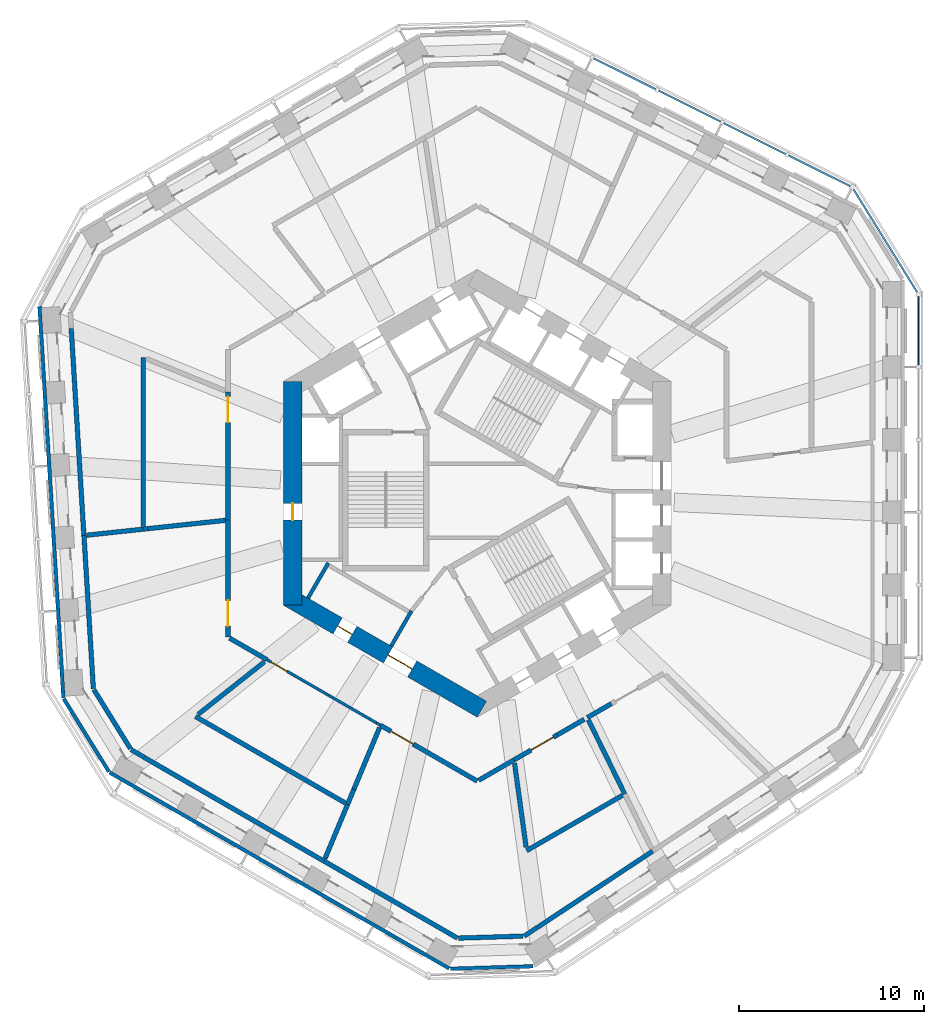
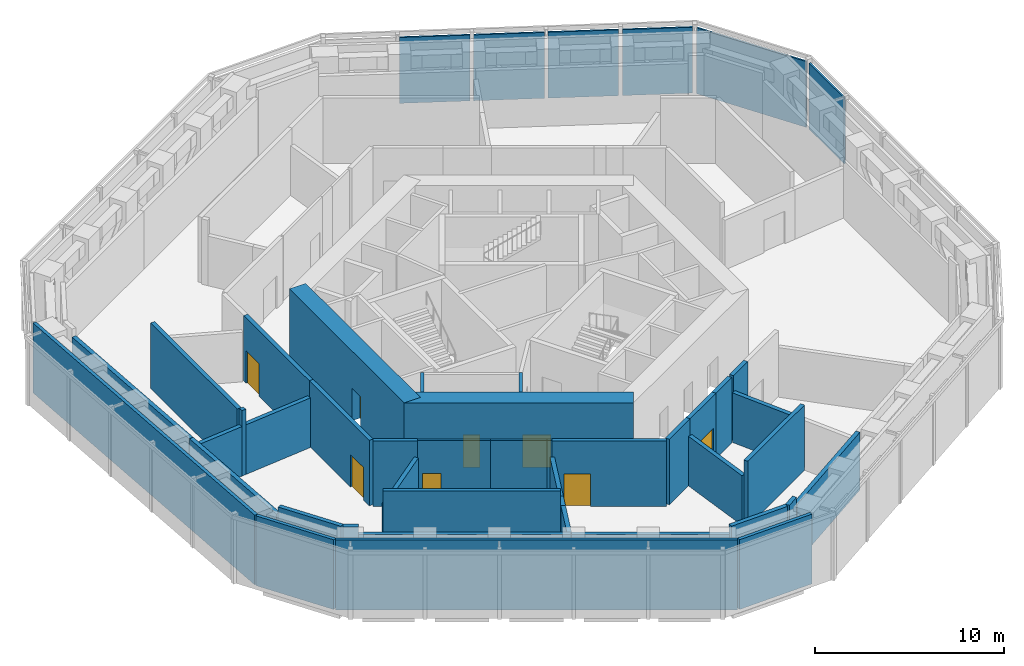
# One storey, part 5 of 15: 40 walls, 8 doors, 6 plates, 8 openings, 3 elements without a shape of their own.
"""IFC4 building model written with IfcOpenShell, lengths in metres."""

from ifc_helpers import new_model, si_unit, direction, frame, frame_2d, origin, origin_2d, place, context, subcontext, project, spatial, rectangle, extrude, material, layer, layer_set, type_object, element, fill, aggregate, save


model = new_model("IFC4")

# Units and contexts
model_context = context("Model", 3, precision=1e-05, world=origin(), true_north=direction((0.0, 1.0)))
body_context = subcontext(model_context, "Body", "Model", "MODEL_VIEW")
ifc_project = project(units=[si_unit("LENGTHUNIT", "METRE"), si_unit("AREAUNIT", "SQUARE_METRE"), si_unit("VOLUMEUNIT", "CUBIC_METRE"), si_unit("PLANEANGLEUNIT", "RADIAN"), si_unit("MASSUNIT", "GRAM", prefix="KILO")], contexts=[model_context])

# Site, building, storey
site_placement = place(None, origin())
site = spatial("IfcSite", under=ifc_project, at=site_placement, CompositionType="ELEMENT")
building_placement = place(site_placement, origin())
building = spatial("IfcBuilding", under=site, at=building_placement, Name="Vanh Sen Convention Tower", CompositionType="ELEMENT")
storey_placement = place(building_placement, frame((0.0, 0.0, 119.89990234375)))
storey = spatial("IfcBuildingStorey", under=building, at=storey_placement, Name="L29", CompositionType="ELEMENT", Elevation=119.89990234375)

# Curtain wall, plate
ifc_material_1 = material(Name="Concrete C50/60", Category="concrete")
curtain_wall_type = type_object("IfcCurtainWallType", Name="Outer skin hotel zone", PredefinedType="NOTDEFINED", material=ifc_material_1)
curtain_wall_1_placement = place(storey_placement, origin())
curtain_wall_1 = element("IfcCurtainWall", 1, at=curtain_wall_1_placement, inside=storey, type_object=curtain_wall_type, Name="OUTER SKIN E L29", PredefinedType="NOTDEFINED")
ifc_layer_1 = layer(ifc_material_1, 0.10009765625)
ifc_layer_set_1 = layer_set([ifc_layer_1], Name="Concrete C50/60")
plate_type = type_object("IfcPlateType", Name="Outer skin precast screen panel 100", PredefinedType="CURTAIN_PANEL", material=ifc_layer_set_1)
plate_1_placement = place(storey_placement, frame((23.89990234375, 8.7939453125, 0.0), z_axis=(0.0, 0.0, 1.0), x_axis=(0.0, 1.0, 0.0)))
plate_1 = element("IfcPlate", 2, at=plate_1_placement, type_object=plate_type, Name="OUTER SKIN screen panel E-5", PredefinedType="CURTAIN_PANEL", context=body_context, shape_type="SweptSolid", body=[
    extrude(rectangle(XDim=3.709716796875, YDim=0.10009765625, at=origin_2d()), origin(), (0.0, 0.0, 1.0), 4.25),
])
aggregate(curtain_wall_1, [plate_1])

curtain_wall_2_placement = place(storey_placement, origin())
curtain_wall_2 = element("IfcCurtainWall", 3, at=curtain_wall_2_placement, inside=storey, type_object=curtain_wall_type, Name="OUTER SKIN CH1 L29", PredefinedType="NOTDEFINED")
plate_2_placement = place(storey_placement, frame((22.102783203125, 13.677734375, 0.0), z_axis=(0.0, 0.0, 1.0), x_axis=(-0.526212439506, 0.850353143411, 0.0)))
plate_2 = element("IfcPlate", 4, at=plate_2_placement, type_object=plate_type, Name="OUTER SKIN screen panel CH1-1", PredefinedType="CURTAIN_PANEL", context=body_context, shape_type="SweptSolid", body=[
    extrude(rectangle(XDim=6.580078125, YDim=0.10009765625, at=origin_2d()), origin(), (0.0, 0.0, 1.0), 4.25),
])
aggregate(curtain_wall_2, [plate_2])

# Curtain wall, plates
curtain_wall_3_placement = place(storey_placement, origin())
curtain_wall_3 = element("IfcCurtainWall", 5, at=curtain_wall_3_placement, inside=storey, type_object=curtain_wall_type, Name="OUTER SKIN NE L29", PredefinedType="NOTDEFINED")
plate_3_placement = place(storey_placement, frame((18.5341796875, 17.465087890625, 0.0), z_axis=(0.0, 0.0, 1.0), x_axis=(-0.894935140363, 0.446196251154, 0.0)))
plate_3 = element("IfcPlate", 6, at=plate_3_placement, type_object=plate_type, Name="OUTER SKIN screen panel NE-1", PredefinedType="CURTAIN_PANEL", context=body_context, shape_type="SweptSolid", body=[
    extrude(rectangle(XDim=3.709716796875, YDim=0.10009765625, at=origin_2d()), origin(), (0.0, 0.0, 1.0), 4.25),
])
plate_4_placement = place(storey_placement, frame((15.024169921875, 19.215087890625, 0.0), z_axis=(0.0, 0.0, 1.0), x_axis=(-0.894935140363, 0.446196251154, 0.0)))
plate_4 = element("IfcPlate", 7, at=plate_4_placement, type_object=plate_type, Name="OUTER SKIN screen panel NE-2", PredefinedType="CURTAIN_PANEL", context=body_context, shape_type="SweptSolid", body=[
    extrude(rectangle(XDim=3.734619140625, YDim=0.10009765625, at=origin_2d()), origin(), (0.0, 0.0, 1.0), 4.25),
])
plate_5_placement = place(storey_placement, frame((11.5029296875, 20.970703125, 0.0), z_axis=(0.0, 0.0, 1.0), x_axis=(-0.894935140363, 0.446196251154, 0.0)))
plate_5 = element("IfcPlate", 8, at=plate_5_placement, type_object=plate_type, Name="OUTER SKIN screen panel NE-3", PredefinedType="CURTAIN_PANEL", context=body_context, shape_type="SweptSolid", body=[
    extrude(rectangle(XDim=3.734619140625, YDim=0.10009765625, at=origin_2d()), origin(), (0.0, 0.0, 1.0), 4.25),
])
plate_6_placement = place(storey_placement, frame((7.981689453125, 22.726318359375, 0.0), z_axis=(0.0, 0.0, 1.0), x_axis=(-0.894935140363, 0.446196251154, 0.0)))
plate_6 = element("IfcPlate", 9, at=plate_6_placement, type_object=plate_type, Name="OUTER SKIN screen panel NE-4", PredefinedType="CURTAIN_PANEL", context=body_context, shape_type="SweptSolid", body=[
    extrude(rectangle(XDim=3.734619140625, YDim=0.10009765625, at=origin_2d()), origin(), (0.0, 0.0, 1.0), 4.25),
])
aggregate(curtain_wall_3, [plate_3, plate_4, plate_5, plate_6])

# Walls
ifc_material_2 = material(Name="Concrete C40/50", Category="concrete")
ifc_layer_2 = layer(ifc_material_2, 0.25)
ifc_layer_set_2 = layer_set([ifc_layer_2], Name="Concrete C40/50")
wall_type_1 = type_object("IfcWallType", Name="Concrete wall 250 EI 180", PredefinedType="SOLIDWALL", material=ifc_layer_set_2)
wall_1_placement = place(storey_placement, frame((-1.071044921875, -24.092529296875, 0.0), z_axis=(0.0, 0.0, 1.0), x_axis=(-0.866026859388, 0.499997478812, 0.0)))
element("IfcWall", 10, at=wall_1_placement, inside=storey, type_object=wall_type_1, Name="Fire-resisting wall L29-001", PredefinedType="SOLIDWALL", context=body_context, shape_type="SweptSolid", body=[
    extrude(rectangle(XDim=8.35009765625, YDim=0.25, at=frame_2d((4.175048828125, 0.0))), origin(), (0.0, 0.0, 1.0), 3.72021484375),
])
wall_2_placement = place(storey_placement, frame((2.4794921875, -23.98388671875, 0.0), z_axis=(0.0, 0.0, 1.0), x_axis=(-0.999533191385, -0.030551584573, 0.0)))
element("IfcWall", 11, at=wall_2_placement, inside=storey, type_object=wall_type_1, Name="Fire-resisting wall L29-002", PredefinedType="SOLIDWALL", context=body_context, shape_type="SweptSolid", body=[
    extrude(rectangle(XDim=3.4921875, YDim=0.25, at=frame_2d((1.74609375, 0.0))), origin(), (0.0, 0.0, 1.0), 4.22021484375),
])
wall_3_placement = place(storey_placement, frame((3.24755859375, -23.513427734375, 0.0), z_axis=(0.0, 0.0, 1.0), x_axis=(-0.833947775338, -0.551843372715, 0.0)))
element("IfcWall", 12, at=wall_3_placement, inside=storey, type_object=wall_type_1, Name="Fire-resisting wall L29-003", PredefinedType="SOLIDWALL", context=body_context, shape_type="SweptSolid", body=[
    extrude(rectangle(XDim=0.848876953125, YDim=0.25, at=frame_2d((0.42431640625, 0.0))), origin(), (0.0, 0.0, 1.0), 4.22021484375),
])
wall_4_placement = place(storey_placement, frame((-8.31494140625, -19.916015625, 0.0), z_axis=(0.0, 0.0, 1.0), x_axis=(-0.866035647186, 0.499982257488, 0.0)))
element("IfcWall", 13, at=wall_4_placement, inside=storey, type_object=wall_type_1, Name="Fire-resisting wall L29-004", PredefinedType="SOLIDWALL", context=body_context, shape_type="SweptSolid", body=[
    extrude(rectangle(XDim=11.2255859375, YDim=0.25, at=frame_2d((5.61279296875, 0.0))), origin(), (0.0, 0.0, 1.0), 3.72021484375),
])
wall_5_placement = place(storey_placement, frame((-8.24853515625, -19.787841796875, 0.0), z_axis=(0.0, 0.0, 1.0), x_axis=(0.384822050218, 0.922990785255, 0.0)))
element("IfcWall", 14, at=wall_5_placement, inside=storey, type_object=wall_type_1, Name="Fire-resisting wall L29-005", PredefinedType="SOLIDWALL", context=body_context, shape_type="SweptSolid", body=[
    extrude(rectangle(XDim=3.187255859375, YDim=0.25, at=frame_2d((1.59375, 0.0))), origin(), (0.0, 0.0, 1.0), 3.2001953125),
])
wall_6_placement = place(storey_placement, frame((9.49755859375, -19.382568359375, 0.0), z_axis=(0.0, 0.0, 1.0), x_axis=(-0.833904576857, -0.55190864887, 0.0)))
element("IfcWall", 15, at=wall_6_placement, inside=storey, type_object=wall_type_1, Name="Fire-resisting wall L29-006", PredefinedType="SOLIDWALL", context=body_context, shape_type="SweptSolid", body=[
    extrude(rectangle(XDim=7.475830078125, YDim=0.25, at=frame_2d((3.73779296875, 0.0))), origin(), (0.0, 0.0, 1.0), 3.72021484375),
])
wall_7_placement = place(storey_placement, frame((-7.143310546875, -16.77587890625, 0.0), z_axis=(0.0, 0.0, 1.0), x_axis=(-0.866010407637, 0.500025973189, 0.0)))
element("IfcWall", 16, at=wall_7_placement, inside=storey, type_object=wall_type_1, Name="Fire-resisting wall L29-008", PredefinedType="SOLIDWALL", context=body_context, shape_type="SweptSolid", body=[
    extrude(rectangle(XDim=9.37646484375, YDim=0.25, at=frame_2d((4.688232421875, 0.0))), origin(), (0.0, 0.0, 1.0), 4.22021484375),
])
wall_8_placement = place(storey_placement, frame((7.86767578125, -16.357666015625, 0.0), z_axis=(0.0, 0.0, 1.0), x_axis=(-0.866027641919, -0.499996123417, 0.0)))
element("IfcWall", 17, at=wall_8_placement, inside=storey, type_object=wall_type_1, Name="Fire-resisting wall L29-009", PredefinedType="SOLIDWALL", context=body_context, shape_type="SweptSolid", body=[
    extrude(rectangle(XDim=5.99755859375, YDim=0.25, at=frame_2d((2.998779296875, 0.0))), origin(), (0.0, 0.0, 1.0), 4.22021484375),
])
wall_9_placement = place(storey_placement, frame((7.988525390625, -16.287109375, 0.0), z_axis=(0.0, 0.0, 1.0), x_axis=(-0.440340265272, 0.89783097005, 0.0)))
element("IfcWall", 18, at=wall_9_placement, inside=storey, type_object=wall_type_1, Name="Fire-resisting wall L29-010", PredefinedType="SOLIDWALL", context=body_context, shape_type="SweptSolid", body=[
    extrude(rectangle(XDim=4.469970703125, YDim=0.25, at=frame_2d((2.23486328125, 0.0))), origin(), (0.0, 0.0, 1.0), 3.2001953125),
])
wall_10_placement = place(storey_placement, frame((-6.68359375, -16.034423828125, 0.0), z_axis=(0.0, 0.0, 1.0), x_axis=(-0.384892223144, -0.922961524964, 0.0)))
element("IfcWall", 19, at=wall_10_placement, inside=storey, type_object=wall_type_1, Name="Fire-resisting wall L29-011", PredefinedType="SOLIDWALL", context=body_context, shape_type="SweptSolid", body=[
    extrude(rectangle(XDim=0.876708984375, YDim=0.25, at=frame_2d((0.4384765625, 0.0))), origin(), (0.0, 0.0, 1.0), 3.2001953125),
])
wall_11_placement = place(storey_placement, frame((-6.68359375, -16.034423828125, 0.0), z_axis=(0.0, 0.0, 1.0), x_axis=(0.384715971376, 0.923035005495, 0.0)))
element("IfcWall", 20, at=wall_11_placement, inside=storey, type_object=wall_type_1, Name="Fire-resisting wall L29-012", PredefinedType="SOLIDWALL", context=body_context, shape_type="SweptSolid", body=[
    extrude(rectangle(XDim=3.619140625, YDim=0.25, at=frame_2d((1.8095703125, 0.0))), origin(), (0.0, 0.0, 1.0), 3.2001953125),
])

# Wall, opening, door
wall_12_placement = place(storey_placement, frame((0.0, -15.58837890625, 0.0), z_axis=(0.0, 0.0, 1.0), x_axis=(-0.866023574055, 0.500003169172, 0.0)))
wall_12 = element("IfcWall", 21, at=wall_12_placement, inside=storey, type_object=wall_type_1, Name="Fire-resisting wall L29-013", PredefinedType="SOLIDWALL", context=body_context, shape_type="SweptSolid", body=[
    extrude(rectangle(XDim=6.0478515625, YDim=0.25, at=frame_2d((3.02392578125, 0.0))), origin(), (0.0, 0.0, 1.0), 4.22021484375),
])
opening_1_placement = place(wall_12_placement, frame((3.997802734375, 0.0, 0.0)))
opening_1 = element("IfcOpeningElement", 22, at=opening_1_placement, cuts=wall_12, Name="Opening D29101", PredefinedType="OPENING", context=body_context, shape_type="SweptSolid", body=[
    extrude(rectangle(XDim=1.39990234375, YDim=2.10009765625, at=frame_2d((0.699951171875, 1.050048828125))), frame((0.0, 0.135009765625, 0.0), z_axis=(0.0, -1.0, 0.0), x_axis=(1.0, 0.0, 0.0)), (0.0, 0.0, 1.0), 0.27001953125),
])
ifc_material_3 = material(Name="Steel S355", Category="steel")
door_type_1 = type_object("IfcDoorType", Name="Service door 1400 EI 60", OperationType="SINGLE_SWING_LEFT", PredefinedType="DOOR", material=ifc_material_3)
door_1_placement = place(opening_1_placement, origin())
door_1 = element("IfcDoor", 23, at=door_1_placement, inside=storey, type_object=door_type_1, Name="Service door D29101", OperationType="SINGLE_SWING_LEFT", OverallHeight=2.10009765625, OverallWidth=1.39990234375, PredefinedType="DOOR", context=body_context, shape_type="SweptSolid", body=[
    extrude(rectangle(XDim=1.39990234375, YDim=2.10009765625, at=frame_2d((0.699951171875, 1.050048828125))), frame((0.0, 0.02490234375, 0.0), z_axis=(0.0, -1.0, 0.0), x_axis=(1.0, 0.0, 0.0)), (0.0, 0.0, 1.0), 0.050048828125),
])
fill(opening_1, door_1)

# Walls
wall_13_placement = place(storey_placement, frame((0.086669921875, -15.53857421875, 0.0), z_axis=(0.0, 0.0, 1.0), x_axis=(0.866037899034, 0.499978356969, 0.0)))
element("IfcWall", 24, at=wall_13_placement, inside=storey, type_object=wall_type_1, Name="Fire-resisting wall L29-014", PredefinedType="SOLIDWALL", context=body_context, shape_type="SweptSolid", body=[
    extrude(rectangle(XDim=2.2021484375, YDim=0.25, at=frame_2d((1.10107421875, 0.0))), origin(), (0.0, 0.0, 1.0), 4.22021484375),
])
wall_14_placement = place(storey_placement, frame((2.0185546875, -14.61572265625, 0.0), z_axis=(0.0, 0.0, 1.0), x_axis=(0.136895946059, -0.99058543294, 0.0)))
element("IfcWall", 25, at=wall_14_placement, inside=storey, type_object=wall_type_1, Name="Fire-resisting wall L29-016", PredefinedType="SOLIDWALL", context=body_context, shape_type="SweptSolid", body=[
    extrude(rectangle(XDim=4.60107421875, YDim=0.25, at=frame_2d((2.300537109375, 0.0))), origin(), (0.0, 0.0, 1.0), 3.2001953125),
])
wall_15_placement = place(storey_placement, frame((-18.04638671875, -14.29150390625, 0.0), z_axis=(0.0, 0.0, 1.0), x_axis=(-0.865925719893, 0.500172617831, 0.0)))
element("IfcWall", 26, at=wall_15_placement, inside=storey, type_object=wall_type_1, Name="Fire-resisting wall L29-019", PredefinedType="SOLIDWALL", context=body_context, shape_type="SweptSolid", body=[
    extrude(rectangle(XDim=0.813720703125, YDim=0.25, at=frame_2d((0.40673828125, 0.0))), origin(), (0.0, 0.0, 1.0), 4.22021484375),
])
wall_16_placement = place(storey_placement, frame((-18.782470703125, -13.83349609375, 0.0), z_axis=(0.0, 0.0, 1.0), x_axis=(-0.526240599462, 0.850335716925, 0.0)))
element("IfcWall", 27, at=wall_16_placement, inside=storey, type_object=wall_type_1, Name="Fire-resisting wall L29-020", PredefinedType="SOLIDWALL", context=body_context, shape_type="SweptSolid", body=[
    extrude(rectangle(XDim=3.759765625, YDim=0.25, at=frame_2d((1.8798828125, 0.0))), origin(), (0.0, 0.0, 1.0), 4.22021484375),
])

# Wall, opening, door
wall_17_placement = place(storey_placement, frame((4.3408203125, -13.08251953125, 0.0), z_axis=(0.0, 0.0, 1.0), x_axis=(-0.866028061811, -0.499995396135, 0.0)))
wall_17 = element("IfcWall", 28, at=wall_17_placement, inside=storey, type_object=wall_type_1, Name="Fire-resisting wall L29-021", PredefinedType="SOLIDWALL", context=body_context, shape_type="SweptSolid", body=[
    extrude(rectangle(XDim=2.7099609375, YDim=0.25, at=frame_2d((1.35498046875, 0.0))), origin(), (0.0, 0.0, 1.0), 4.22021484375),
])
opening_2_placement = place(wall_17_placement, frame((0.25, 0.0, 0.0)))
opening_2 = element("IfcOpeningElement", 29, at=opening_2_placement, cuts=wall_17, Name="Opening D29102", PredefinedType="OPENING", context=body_context, shape_type="SweptSolid", body=[
    extrude(rectangle(XDim=1.39990234375, YDim=2.10009765625, at=frame_2d((0.699951171875, 1.050048828125))), frame((0.0, 0.135009765625, 0.0), z_axis=(0.0, -1.0, 0.0), x_axis=(1.0, 0.0, 0.0)), (0.0, 0.0, 1.0), 0.27001953125),
])
door_2_placement = place(opening_2_placement, origin())
door_2 = element("IfcDoor", 30, at=door_2_placement, inside=storey, type_object=door_type_1, Name="Service door D29102", OperationType="SINGLE_SWING_LEFT", OverallHeight=2.10009765625, OverallWidth=1.39990234375, PredefinedType="DOOR", context=body_context, shape_type="SweptSolid", body=[
    extrude(rectangle(XDim=1.39990234375, YDim=2.10009765625, at=frame_2d((0.699951171875, 1.050048828125))), frame((0.0, 0.02490234375, 0.0), z_axis=(0.0, -1.0, 0.0), x_axis=(1.0, 0.0, 0.0)), (0.0, 0.0, 1.0), 0.050048828125),
])
fill(opening_2, door_2)

# Walls
wall_18_placement = place(storey_placement, frame((5.797119140625, -12.241455078125, 0.0), z_axis=(0.0, 0.0, 1.0), x_axis=(-0.865955892764, -0.500120377296, 0.0)))
element("IfcWall", 31, at=wall_18_placement, inside=storey, type_object=wall_type_1, Name="Fire-resisting wall L29-025", PredefinedType="SOLIDWALL", context=body_context, shape_type="SweptSolid", body=[
    extrude(rectangle(XDim=1.681640625, YDim=0.25, at=frame_2d((0.8408203125, 0.0))), origin(), (0.0, 0.0, 1.0), 4.22021484375),
])
wall_19_placement = place(storey_placement, frame((5.95849609375, -12.14794921875, 0.0), z_axis=(0.0, 0.0, 1.0), x_axis=(0.866080830997, 0.499903984961, 0.0)))
element("IfcWall", 32, at=wall_19_placement, inside=storey, type_object=wall_type_1, Name="Fire-resisting wall L29-026", PredefinedType="SOLIDWALL", context=body_context, shape_type="SweptSolid", body=[
    extrude(rectangle(XDim=1.513427734375, YDim=0.25, at=frame_2d((0.7568359375, 0.0))), origin(), (0.0, 0.0, 1.0), 4.22021484375),
])
wall_20_placement = place(storey_placement, frame((-15.118896484375, -11.972900390625, 0.0), z_axis=(0.0, 0.0, 1.0), x_axis=(0.783935646565, 0.62084209107, 0.0)))
element("IfcWall", 33, at=wall_20_placement, inside=storey, type_object=wall_type_1, Name="Fire-resisting wall L29-027", PredefinedType="SOLIDWALL", context=body_context, shape_type="SweptSolid", body=[
    extrude(rectangle(XDim=4.583740234375, YDim=0.25, at=frame_2d((2.2919921875, 0.0))), origin(), (0.0, 0.0, 1.0), 3.2001953125),
])
wall_21_placement = place(storey_placement, frame((-20.79248046875, -10.58544921875, 0.0), z_axis=(0.0, 0.0, 1.0), x_axis=(-0.061050954365, 0.998134650722, 0.0)))
element("IfcWall", 34, at=wall_21_placement, inside=storey, type_object=wall_type_1, Name="Fire-resisting wall L29-030", PredefinedType="SOLIDWALL", context=body_context, shape_type="SweptSolid", body=[
    extrude(rectangle(XDim=8.31396484375, YDim=0.25, at=frame_2d((4.156982421875, 0.0))), origin(), (0.0, 0.0, 1.0), 3.72021484375),
])
wall_22_placement = place(storey_placement, frame((-13.413330078125, -7.843994140625, 0.0), z_axis=(0.0, 0.0, 1.0), x_axis=(0.866015509187, -0.500017137554, 0.0)))
element("IfcWall", 35, at=wall_22_placement, inside=storey, type_object=wall_type_1, Name="Fire-resisting wall L29-033", PredefinedType="SOLIDWALL", context=body_context, shape_type="SweptSolid", body=[
    extrude(rectangle(XDim=2.3427734375, YDim=0.25, at=frame_2d((1.17138671875, 0.0))), origin(), (0.0, 0.0, 1.0), 4.22021484375),
])

# Wall, opening, door
wall_23_placement = place(storey_placement, frame((-13.5, -7.7939453125, 0.0), z_axis=(0.0, 0.0, 1.0), x_axis=(0.0, 1.0, 0.0)))
wall_23 = element("IfcWall", 36, at=wall_23_placement, inside=storey, type_object=wall_type_1, Name="Fire-resisting wall L29-034", PredefinedType="SOLIDWALL", context=body_context, shape_type="SweptSolid", body=[
    extrude(rectangle(XDim=6.344970703125, YDim=0.25, at=frame_2d((3.17236328125, 0.0))), origin(), (0.0, 0.0, 1.0), 4.22021484375),
])
opening_3_placement = place(wall_23_placement, frame((0.60009765625, 0.0, 0.0)))
opening_3 = element("IfcOpeningElement", 37, at=opening_3_placement, cuts=wall_23, Name="Opening D29105", PredefinedType="OPENING", context=body_context, shape_type="SweptSolid", body=[
    extrude(rectangle(XDim=1.39990234375, YDim=2.10009765625, at=frame_2d((0.699951171875, 1.050048828125))), frame((0.0, 0.135009765625, 0.0), z_axis=(0.0, -1.0, 0.0), x_axis=(1.0, 0.0, 0.0)), (0.0, 0.0, 1.0), 0.27001953125),
])
door_3_placement = place(opening_3_placement, origin())
door_3 = element("IfcDoor", 38, at=door_3_placement, inside=storey, type_object=door_type_1, Name="Service door D29105", OperationType="SINGLE_SWING_LEFT", OverallHeight=2.10009765625, OverallWidth=1.39990234375, PredefinedType="DOOR", context=body_context, shape_type="SweptSolid", body=[
    extrude(rectangle(XDim=1.39990234375, YDim=2.10009765625, at=frame_2d((0.699951171875, 1.050048828125))), frame((0.0, 0.02490234375, 0.0), z_axis=(0.0, -1.0, 0.0), x_axis=(1.0, 0.0, 0.0)), (0.0, 0.0, 1.0), 0.050048828125),
])
fill(opening_3, door_3)

# Walls
wall_24_placement = place(storey_placement, frame((-21.305908203125, -2.276611328125, 0.0), z_axis=(0.0, 0.0, 1.0), x_axis=(-0.061026930585, 0.998136119847, 0.0)))
element("IfcWall", 39, at=wall_24_placement, inside=storey, type_object=wall_type_1, Name="Fire-resisting wall L29-035", PredefinedType="SOLIDWALL", context=body_context, shape_type="SweptSolid", body=[
    extrude(rectangle(XDim=11.2255859375, YDim=0.25, at=frame_2d((5.61279296875, 0.0))), origin(), (0.0, 0.0, 1.0), 3.72021484375),
])
wall_25_placement = place(storey_placement, frame((-21.160888671875, -2.271484375, 0.0), z_axis=(0.0, 0.0, 1.0), x_axis=(0.99429444282, 0.106670337847, 0.0)))
element("IfcWall", 40, at=wall_25_placement, inside=storey, type_object=wall_type_1, Name="Fire-resisting wall L29-036", PredefinedType="SOLIDWALL", context=body_context, shape_type="SweptSolid", body=[
    extrude(rectangle(XDim=3.078369140625, YDim=0.25, at=frame_2d((1.5390625, 0.0))), origin(), (0.0, 0.0, 1.0), 3.2001953125),
])
wall_26_placement = place(storey_placement, frame((-17.841552734375, -1.9150390625, 0.0), z_axis=(0.0, 0.0, 1.0), x_axis=(-0.994157722511, -0.107937124158, 0.0)))
element("IfcWall", 41, at=wall_26_placement, inside=storey, type_object=wall_type_1, Name="Fire-resisting wall L29-037", PredefinedType="SOLIDWALL", context=body_context, shape_type="SweptSolid", body=[
    extrude(rectangle(XDim=0.2578125, YDim=0.25, at=frame_2d((0.12890625, 0.0))), origin(), (0.0, 0.0, 1.0), 4.22021484375),
])
wall_27_placement = place(storey_placement, frame((-17.841552734375, -1.9150390625, 0.0), z_axis=(0.0, 0.0, 1.0), x_axis=(0.994286185639, 0.106747276539, 0.0)))
element("IfcWall", 42, at=wall_27_placement, inside=storey, type_object=wall_type_1, Name="Fire-resisting wall L29-038", PredefinedType="SOLIDWALL", context=body_context, shape_type="SweptSolid", body=[
    extrude(rectangle(XDim=4.2265625, YDim=0.25, at=frame_2d((2.11328125, 0.0))), origin(), (0.0, 0.0, 1.0), 3.2001953125),
])
wall_28_placement = place(storey_placement, frame((-18.10009765625, -1.802978515625, 0.0), z_axis=(0.0, 0.0, 1.0), x_axis=(0.0, 1.0, 0.0)))
element("IfcWall", 43, at=wall_28_placement, inside=storey, type_object=wall_type_1, Name="Fire-resisting wall L29-039", PredefinedType="SOLIDWALL", context=body_context, shape_type="SweptSolid", body=[
    extrude(rectangle(XDim=9.166015625, YDim=0.25, at=frame_2d((4.5830078125, 0.0))), origin(), (0.0, 0.0, 1.0), 4.22021484375),
])

# Wall, opening, door
wall_29_placement = place(storey_placement, frame((-13.5, -1.448974609375, 0.0), z_axis=(0.0, 0.0, 1.0), x_axis=(0.0, 1.0, 0.0)))
wall_29 = element("IfcWall", 44, at=wall_29_placement, inside=storey, type_object=wall_type_1, Name="Fire-resisting wall L29-040", PredefinedType="SOLIDWALL", context=body_context, shape_type="SweptSolid", body=[
    extrude(rectangle(XDim=6.94091796875, YDim=0.25, at=frame_2d((3.470458984375, 0.0))), origin(), (0.0, 0.0, 1.0), 4.22021484375),
])
opening_4_placement = place(wall_29_placement, frame((5.291015625, 0.0, 0.0)))
opening_4 = element("IfcOpeningElement", 45, at=opening_4_placement, cuts=wall_29, Name="Opening D29106", PredefinedType="OPENING", context=body_context, shape_type="SweptSolid", body=[
    extrude(rectangle(XDim=1.39990234375, YDim=2.10009765625, at=frame_2d((0.699951171875, 1.050048828125))), frame((0.0, 0.135009765625, 0.0), z_axis=(0.0, -1.0, 0.0), x_axis=(1.0, 0.0, 0.0)), (0.0, 0.0, 1.0), 0.27001953125),
])
door_4_placement = place(opening_4_placement, origin())
door_4 = element("IfcDoor", 46, at=door_4_placement, inside=storey, type_object=door_type_1, Name="Service door D29106", OperationType="SINGLE_SWING_LEFT", OverallHeight=2.10009765625, OverallWidth=1.39990234375, PredefinedType="DOOR", context=body_context, shape_type="SweptSolid", body=[
    extrude(rectangle(XDim=1.39990234375, YDim=2.10009765625, at=frame_2d((0.699951171875, 1.050048828125))), frame((0.0, 0.02490234375, 0.0), z_axis=(0.0, -1.0, 0.0), x_axis=(1.0, 0.0, 0.0)), (0.0, 0.0, 1.0), 0.050048828125),
])
fill(opening_4, door_4)

ifc_material_4 = material(Name="Concrete C80/95", Category="concrete")
ifc_layer_3 = layer(ifc_material_4, 1.0)
ifc_layer_set_3 = layer_set([ifc_layer_3], Name="Concrete C80/95")
wall_type_2 = type_object("IfcWallType", Name="Core outer wall 1000 C80/95", PredefinedType="SHEAR", material=ifc_layer_set_3)
wall_30_placement = place(storey_placement, frame((-10.0, 6.062255859375, 0.0), z_axis=(0.0, 0.0, 1.0), x_axis=(0.0, -1.0, 0.0)))
wall_30 = element("IfcWall", 47, at=wall_30_placement, inside=storey, type_object=wall_type_2, Name="Core wall face W L29", PredefinedType="SHEAR", context=body_context, shape_type="SweptSolid", body=[
    extrude(rectangle(XDim=12.12451171875, YDim=1.0, at=frame_2d((6.062255859375, 0.0))), origin(), (0.0, 0.0, 1.0), 4.5),
])
opening_5_placement = place(wall_30_placement, frame((6.6123046875, 0.0, 0.0)))
opening_5 = element("IfcOpeningElement", 48, at=opening_5_placement, cuts=wall_30, Name="Opening D29010", PredefinedType="OPENING", context=body_context, shape_type="SweptSolid", body=[
    extrude(rectangle(XDim=0.89990234375, YDim=2.10009765625, at=frame_2d((0.449951171875, 1.050048828125))), frame((0.0, 0.510009765625, 0.0), z_axis=(0.0, -1.0, 0.0), x_axis=(1.0, 0.0, 0.0)), (0.0, 0.0, 1.0), 1.02001953125),
])
ifc_material_5 = material(Name="Steel S355", Category="steel")
door_type_2 = type_object("IfcDoorType", Name="Plant door 900", OperationType="SINGLE_SWING_LEFT", PredefinedType="DOOR", material=ifc_material_5)
door_5_placement = place(opening_5_placement, origin())
door_5 = element("IfcDoor", 49, at=door_5_placement, inside=storey, type_object=door_type_2, Name="Plant door D29010", OperationType="SINGLE_SWING_LEFT", OverallHeight=2.10009765625, OverallWidth=0.89990234375, PredefinedType="DOOR", context=body_context, shape_type="SweptSolid", body=[
    extrude(rectangle(XDim=0.89990234375, YDim=2.10009765625, at=frame_2d((0.449951171875, 1.050048828125))), frame((0.0, 0.02490234375, 0.0), z_axis=(0.0, -1.0, 0.0), x_axis=(1.0, 0.0, 0.0)), (0.0, 0.0, 1.0), 0.050048828125),
])
fill(opening_5, door_5)

# Wall, openings, doors
wall_31_placement = place(storey_placement, frame((-10.25, -5.629150390625, 0.0), z_axis=(0.0, 0.0, 1.0), x_axis=(0.866022616891, -0.50000482701, 0.0)))
wall_31 = element("IfcWall", 50, at=wall_31_placement, inside=storey, type_object=wall_type_2, Name="Core wall face SW L29", PredefinedType="SHEAR", context=body_context, shape_type="SweptSolid", body=[
    extrude(rectangle(XDim=12.12451171875, YDim=1.0, at=frame_2d((6.062255859375, 0.0))), origin(), (0.0, 0.0, 1.0), 4.5),
])
opening_6_placement = place(wall_31_placement, frame((6.26220703125, 0.0, 0.0)))
opening_6 = element("IfcOpeningElement", 51, at=opening_6_placement, cuts=wall_31, Name="Opening D29003", PredefinedType="OPENING", context=body_context, shape_type="SweptSolid", body=[
    extrude(rectangle(XDim=1.5, YDim=2.10009765625, at=frame_2d((0.75, 1.050048828125))), frame((0.0, 0.510009765625, 0.0), z_axis=(0.0, -1.0, 0.0), x_axis=(1.0, 0.0, 0.0)), (0.0, 0.0, 1.0), 1.02001953125),
])
opening_7_placement = place(wall_31_placement, frame((3.1123046875, 0.0, 0.0)))
opening_7 = element("IfcOpeningElement", 52, at=opening_7_placement, cuts=wall_31, Name="Opening D29011", PredefinedType="OPENING", context=body_context, shape_type="SweptSolid", body=[
    extrude(rectangle(XDim=0.89990234375, YDim=2.10009765625, at=frame_2d((0.449951171875, 1.050048828125))), frame((0.0, 0.510009765625, 0.0), z_axis=(0.0, -1.0, 0.0), x_axis=(1.0, 0.0, 0.0)), (0.0, 0.0, 1.0), 1.02001953125),
])
door_6_placement = place(opening_7_placement, origin())
door_6 = element("IfcDoor", 53, at=door_6_placement, inside=storey, type_object=door_type_2, Name="Plant door D29011", OperationType="SINGLE_SWING_LEFT", OverallHeight=2.10009765625, OverallWidth=0.89990234375, PredefinedType="DOOR", context=body_context, shape_type="SweptSolid", body=[
    extrude(rectangle(XDim=0.89990234375, YDim=2.10009765625, at=frame_2d((0.449951171875, 1.050048828125))), frame((0.0, 0.02490234375, 0.0), z_axis=(0.0, -1.0, 0.0), x_axis=(1.0, 0.0, 0.0)), (0.0, 0.0, 1.0), 0.050048828125),
])
fill(opening_7, door_6)
door_type_3 = type_object("IfcDoorType", Name="Stair lobby door 1500", OperationType="DOUBLE_DOOR_SINGLE_SWING", PredefinedType="DOOR", material=ifc_material_5)
door_7_placement = place(opening_6_placement, origin())
door_7 = element("IfcDoor", 54, at=door_7_placement, inside=storey, type_object=door_type_3, Name="Stair lobby door D29003", OperationType="DOUBLE_DOOR_SINGLE_SWING", OverallHeight=2.10009765625, OverallWidth=1.5, PredefinedType="DOOR", context=body_context, shape_type="SweptSolid", body=[
    extrude(rectangle(XDim=1.5, YDim=2.10009765625, at=frame_2d((0.75, 1.050048828125))), frame((0.0, 0.02490234375, 0.0), z_axis=(0.0, -1.0, 0.0), x_axis=(1.0, 0.0, 0.0)), (0.0, 0.0, 1.0), 0.050048828125),
])
fill(opening_6, door_7)

# Walls
ifc_material_6 = material(Name="Insulated lightweight infill wall")
ifc_layer_4 = layer(ifc_material_6, 0.199951171875)
ifc_layer_set_4 = layer_set([ifc_layer_4], Name="Insulated lightweight infill wall")
wall_type_3 = type_object("IfcWallType", Name="External wall 200", PredefinedType="STANDARD", material=ifc_layer_set_4)
wall_32_placement = place(storey_placement, frame((-23.712646484375, 10.130859375, 0.0), z_axis=(0.0, 0.0, 1.0), x_axis=(0.061040439785, -0.998135293791, 0.0)))
element("IfcWall", 55, at=wall_32_placement, inside=storey, type_object=wall_type_3, Name="External wall W L29", PredefinedType="STANDARD", context=body_context, shape_type="SweptSolid", body=[
    extrude(rectangle(XDim=21.24609375, YDim=0.199951171875, at=frame_2d((10.623046875, 0.0))), origin(), (0.0, 0.0, 1.0), 4.5),
])
wall_33_placement = place(storey_placement, frame((-22.40087890625, -11.122314453125, 0.0), z_axis=(0.0, 0.0, 1.0), x_axis=(0.526197679914, -0.850362276711, 0.0)))
element("IfcWall", 56, at=wall_33_placement, inside=storey, type_object=wall_type_3, Name="External wall CH4 L29", PredefinedType="STANDARD", context=body_context, shape_type="SweptSolid", body=[
    extrude(rectangle(XDim=4.65966796875, YDim=0.199951171875, at=frame_2d((2.329833984375, 0.0))), origin(), (0.0, 0.0, 1.0), 4.5),
])
wall_34_placement = place(storey_placement, frame((-19.913818359375, -15.11865234375, 0.0), z_axis=(0.0, 0.0, 1.0), x_axis=(0.866025418898, -0.499999973822, 0.0)))
element("IfcWall", 57, at=wall_34_placement, inside=storey, type_object=wall_type_3, Name="External wall SW L29", PredefinedType="STANDARD", context=body_context, shape_type="SweptSolid", body=[
    extrude(rectangle(XDim=21.24609375, YDim=0.199951171875, at=frame_2d((10.623046875, 0.0))), origin(), (0.0, 0.0, 1.0), 4.5),
])
wall_35_placement = place(storey_placement, frame((-1.461181640625, -25.7548828125, 0.0), z_axis=(0.0, 0.0, 1.0), x_axis=(0.999533823446, 0.030530898895, 0.0)))
element("IfcWall", 58, at=wall_35_placement, inside=storey, type_object=wall_type_3, Name="External wall CH5 L29", PredefinedType="STANDARD", context=body_context, shape_type="SweptSolid", body=[
    extrude(rectangle(XDim=4.494140625, YDim=0.199951171875, at=frame_2d((2.2470703125, 0.0))), origin(), (0.0, 0.0, 1.0), 4.5),
])
ifc_layer_5 = layer(ifc_material_2, 0.199951171875)
ifc_layer_set_5 = layer_set([ifc_layer_5], Name="Concrete C40/50")
wall_type_4 = type_object("IfcWallType", Name="Lift shaft wall 200", PredefinedType="PARTITIONING", material=ifc_layer_set_5)
wall_36_placement = place(storey_placement, frame((-8.066650390625, -3.77197265625, 0.0), z_axis=(0.0, 0.0, 1.0), x_axis=(-0.50002983664, -0.866008176907, 0.0)))
element("IfcWall", 59, at=wall_36_placement, inside=storey, type_object=wall_type_4, Name="Lift shaft wall L29", PredefinedType="PARTITIONING", context=body_context, shape_type="SweptSolid", body=[
    extrude(rectangle(XDim=2.199951171875, YDim=0.199951171875, at=frame_2d((1.10009765625, 0.0))), origin(), (0.0, 0.0, 1.0), 4.22021484375),
])
wall_37_placement = place(storey_placement, frame((-3.5634765625, -6.3720703125, 0.0), z_axis=(0.0, 0.0, 1.0), x_axis=(-0.499994660107, -0.866028486751, 0.0)))
element("IfcWall", 60, at=wall_37_placement, inside=storey, type_object=wall_type_4, Name="Lift shaft wall L29", PredefinedType="PARTITIONING", context=body_context, shape_type="SweptSolid", body=[
    extrude(rectangle(XDim=2.19970703125, YDim=0.199951171875, at=frame_2d((1.099853515625, 0.0))), origin(), (0.0, 0.0, 1.0), 4.22021484375),
])
ifc_material_7 = material(Name="Gypsum board on steel studs", Category="steel")
ifc_layer_6 = layer(ifc_material_7, 0.14990234375)
ifc_layer_set_6 = layer_set([ifc_layer_6], Name="Gypsum board on steel studs")
wall_type_5 = type_object("IfcWallType", Name="Partition 150", PredefinedType="PARTITIONING", material=ifc_layer_set_6)
wall_38_placement = place(storey_placement, frame((-5.237548828125, -12.564453125, 0.0), z_axis=(0.0, 0.0, 1.0), x_axis=(-0.866234801039, 0.4996371378, 0.0)))
element("IfcWall", 61, at=wall_38_placement, inside=storey, type_object=wall_type_5, Name="Partition L29-023", PredefinedType="PARTITIONING", context=body_context, shape_type="SweptSolid", body=[
    extrude(rectangle(XDim=0.247802734375, YDim=0.14990234375, at=frame_2d((0.1240234375, 0.0))), origin(), (0.0, 0.0, 1.0), 4.22021484375),
])
wall_39_placement = place(storey_placement, frame((-5.4521484375, -12.440673828125, 0.0), z_axis=(0.0, 0.0, 1.0), x_axis=(-0.866037998184, 0.499978185225, 0.0)))
element("IfcWall", 62, at=wall_39_placement, inside=storey, type_object=wall_type_5, Name="Partition L29-024", PredefinedType="PARTITIONING", context=body_context, shape_type="SweptSolid", body=[
    extrude(rectangle(XDim=3.002685546875, YDim=0.14990234375, at=frame_2d((1.50146484375, 0.0))), origin(), (0.0, 0.0, 1.0), 4.22021484375),
])

# Wall, opening, door
wall_40_placement = place(storey_placement, frame((-8.052490234375, -10.939453125, 0.0), z_axis=(0.0, 0.0, 1.0), x_axis=(-0.865989037086, 0.500062983681, 0.0)))
wall_40 = element("IfcWall", 63, at=wall_40_placement, inside=storey, type_object=wall_type_5, Name="Partition L29-029", PredefinedType="PARTITIONING", context=body_context, shape_type="SweptSolid", body=[
    extrude(rectangle(XDim=3.84765625, YDim=0.14990234375, at=frame_2d((1.923828125, 0.0))), origin(), (0.0, 0.0, 1.0), 4.22021484375),
])
opening_8_placement = place(wall_40_placement, frame((2.59765625, 0.0, 0.0)))
opening_8 = element("IfcOpeningElement", 64, at=opening_8_placement, cuts=wall_40, Name="Opening D29104", PredefinedType="OPENING", context=body_context, shape_type="SweptSolid", body=[
    extrude(rectangle(XDim=1.0, YDim=2.10009765625, at=frame_2d((0.5, 1.050048828125))), frame((0.0, 0.0849609375, 0.0), z_axis=(0.0, -1.0, 0.0), x_axis=(1.0, 0.0, 0.0)), (0.0, 0.0, 1.0), 0.169921875),
])
ifc_material_8 = material(Name="Timber door in steel frame", Category="steel")
door_type_4 = type_object("IfcDoorType", Name="Room door 1000", OperationType="SINGLE_SWING_LEFT", PredefinedType="DOOR", material=ifc_material_8)
door_8_placement = place(opening_8_placement, origin())
door_8 = element("IfcDoor", 65, at=door_8_placement, inside=storey, type_object=door_type_4, Name="Room door D29104", OperationType="SINGLE_SWING_LEFT", OverallHeight=2.10009765625, OverallWidth=1.0, PredefinedType="DOOR", context=body_context, shape_type="SweptSolid", body=[
    extrude(rectangle(XDim=1.0, YDim=2.10009765625, at=frame_2d((0.5, 1.050048828125))), frame((0.0, 0.02490234375, 0.0), z_axis=(0.0, -1.0, 0.0), x_axis=(1.0, 0.0, 0.0)), (0.0, 0.0, 1.0), 0.050048828125),
])
fill(opening_8, door_8)

save(model, "model.ifc")
